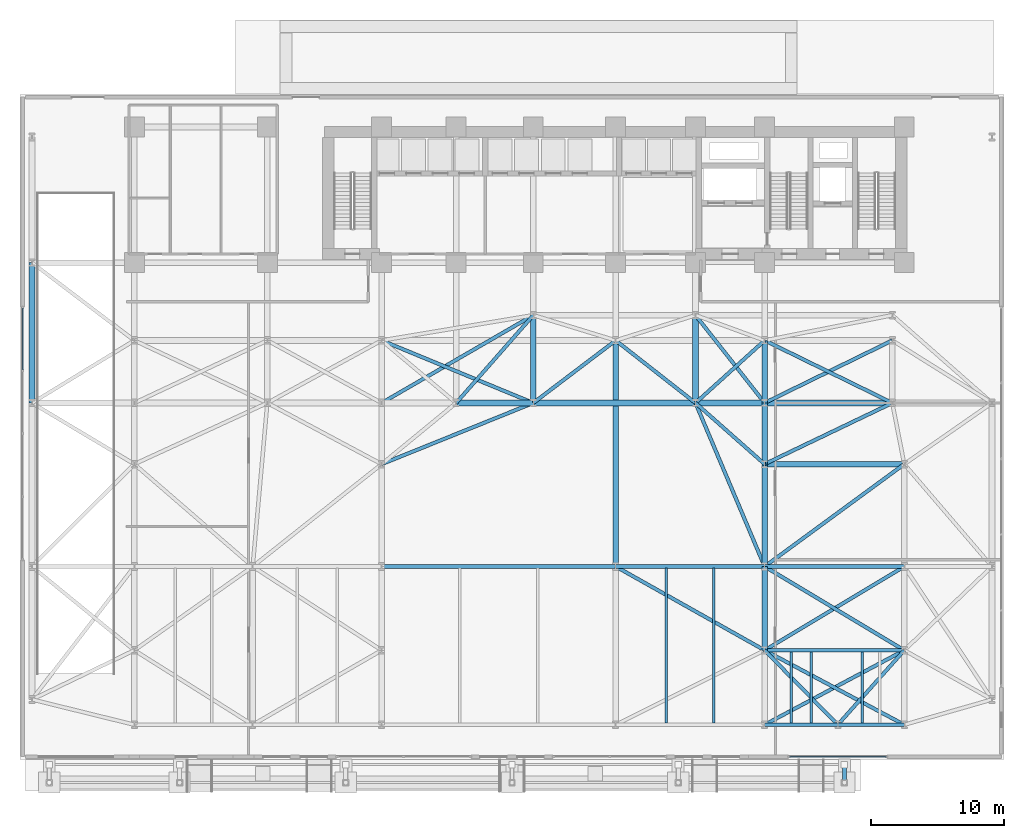
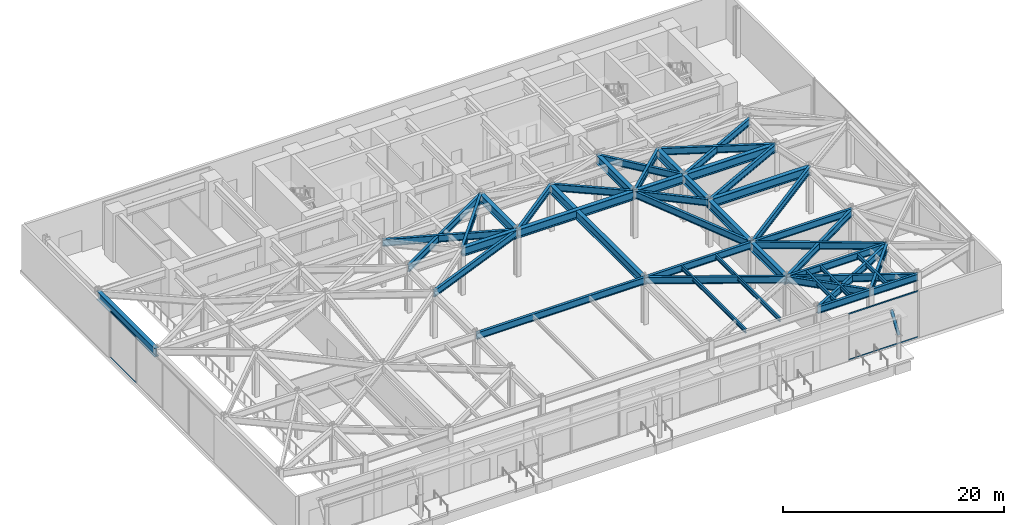
# One storey, part 17 of 31: 45 beams, 5 members, 2 elements without a shape of their own.
"""IFC4 building model written with IfcOpenShell, lengths in metres."""

from ifc_helpers import new_model, si_unit, direction, frame, origin, origin_2d, place, context, subcontext, project, spatial, hollow_rectangle, hollow_circle, i_section, extrude, material, layer, layer_set, material_profile, profile_set, type_object, element, aggregate, save


model = new_model("IFC4")

# Units and contexts
model_context = context("Model", 3, precision=1e-05, world=origin(), true_north=direction((0.0, 1.0)))
body_context = subcontext(model_context, "Body", "Model", "MODEL_VIEW")
ifc_project = project(units=[si_unit("LENGTHUNIT", "METRE"), si_unit("AREAUNIT", "SQUARE_METRE"), si_unit("VOLUMEUNIT", "CUBIC_METRE"), si_unit("PLANEANGLEUNIT", "RADIAN"), si_unit("MASSUNIT", "GRAM", prefix="KILO")], contexts=[model_context])

# Site, building, storey
site_placement = place(None, origin())
site = spatial("IfcSite", under=ifc_project, at=site_placement, CompositionType="ELEMENT")
building_placement = place(site_placement, origin())
building = spatial("IfcBuilding", under=site, at=building_placement, Name="Kravanh Interchange Tower", CompositionType="ELEMENT")
storey_placement = place(building_placement, origin())
storey = spatial("IfcBuildingStorey", under=building, at=storey_placement, Name="L00", CompositionType="ELEMENT", Elevation=0.0)

# Member
ifc_material_1 = material(Name="Structural Steel S355", Category="steel")
ifc_material_profile_1 = material_profile(ifc_material_1, hollow_circle(Radius=0.162109375, WallThickness=0.011962890625, at=origin_2d()), Name="CHS324X12")
ifc_profile_set_1 = profile_set([ifc_material_profile_1], Name="Structural Steel S355")
member_type_1 = type_object("IfcMemberType", Name="Canopy Raking Strut CHS324X12 Structural Steel S355", PredefinedType="STRUT", material=ifc_profile_set_1)
member_1_placement = place(storey_placement, frame((62.0, -1.75, 2.5), z_axis=(0.0, 0.564318032466, 0.8255574833), x_axis=(-1.0, 0.0, 0.0)))
element("IfcMember", 1, at=member_1_placement, inside=storey, type_object=member_type_1, Name="Transit Canopy Raking Strut 6", PredefinedType="STRUT", context=body_context, shape_type="SweptSolid", body=[
    extrude(hollow_circle(Radius=0.162109375, WallThickness=0.011962890625, at=origin_2d()), origin(), (0.0, 0.0, 1.0), 2.392333984375),
])

# Curtain wall, members
ifc_material_2 = material(Name="Anodised Bronze Aluminium", Category="aluminium")
ifc_layer = layer(ifc_material_2, 0.179931640625)
ifc_layer_set = layer_set([ifc_layer], Name="Unitised Curtain Wall System CW-POD Podium Concourse")
curtain_wall_type = type_object("IfcCurtainWallType", Name="Unitised Curtain Wall System CW-POD Podium Concourse", PredefinedType="NOTDEFINED", material=ifc_layer_set)
curtain_wall_1_placement = place(storey_placement, origin())
curtain_wall_1 = element("IfcCurtainWall", 2, at=curtain_wall_1_placement, inside=storey, type_object=curtain_wall_type, Name="L00 Unitised Curtain Wall CW-L00-03", PredefinedType="NOTDEFINED")
ifc_material_3 = material(Name="Anodised Bronze Aluminium", Category="aluminium")
ifc_material_profile_2 = material_profile(ifc_material_3, hollow_rectangle(XDim=0.06005859375, YDim=0.139892578125, WallThickness=0.00390625, at=origin_2d()), Name="ALU60X140X4")
ifc_profile_set_2 = profile_set([ifc_material_profile_2], Name="Anodised Bronze Aluminium")
member_type_2 = type_object("IfcMemberType", Name="Curtain Wall Transom ALU60X140X4 Bronze", PredefinedType="USERDEFINED", material=ifc_profile_set_2)
member_2_placement = place(storey_placement, frame((57.8701171875, 0.199951171875, 0.030029296875), z_axis=(1.0, 0.0, 0.0), x_axis=(0.0, 1.0, 0.0)))
member_2 = element("IfcMember", 3, at=member_2_placement, type_object=member_type_2, Name="CW-POD transom 1.1", ObjectType="TRANSOM", PredefinedType="USERDEFINED", context=body_context, shape_type="SweptSolid", body=[
    extrude(hollow_rectangle(XDim=0.06005859375, YDim=0.139892578125, WallThickness=0.00390625, at=origin_2d()), origin(), (0.0, 0.0, 1.0), 7.259765625),
])
member_3_placement = place(storey_placement, frame((57.8701171875, 0.199951171875, 5.10009765625), z_axis=(1.0, 0.0, 0.0), x_axis=(0.0, 1.0, 0.0)))
member_3 = element("IfcMember", 4, at=member_3_placement, type_object=member_type_2, Name="CW-POD transom 1.2", ObjectType="TRANSOM", PredefinedType="USERDEFINED", context=body_context, shape_type="SweptSolid", body=[
    extrude(hollow_rectangle(XDim=0.06005859375, YDim=0.139892578125, WallThickness=0.00390625, at=origin_2d()), origin(), (0.0, 0.0, 1.0), 7.259765625),
])
aggregate(curtain_wall_1, [member_2, member_3])

curtain_wall_2_placement = place(storey_placement, origin())
curtain_wall_2 = element("IfcCurtainWall", 5, at=curtain_wall_2_placement, inside=storey, type_object=curtain_wall_type, Name="L00 Unitised Curtain Wall CW-L00-05", PredefinedType="NOTDEFINED")
member_4_placement = place(storey_placement, frame((0.199951171875, 29.284912109375, 0.030029296875), z_axis=(0.0, 1.0, 0.0), x_axis=(-1.0, 0.0, 0.0)))
member_4 = element("IfcMember", 6, at=member_4_placement, type_object=member_type_2, Name="CW-POD transom 4.1", ObjectType="TRANSOM", PredefinedType="USERDEFINED", context=body_context, shape_type="SweptSolid", body=[
    extrude(hollow_rectangle(XDim=0.06005859375, YDim=0.139892578125, WallThickness=0.00390625, at=origin_2d()), origin(), (0.0, 0.0, 1.0), 4.64501953125),
])
member_5_placement = place(storey_placement, frame((0.199951171875, 29.284912109375, 5.10009765625), z_axis=(0.0, 1.0, 0.0), x_axis=(-1.0, 0.0, 0.0)))
member_5 = element("IfcMember", 7, at=member_5_placement, type_object=member_type_2, Name="CW-POD transom 4.2", ObjectType="TRANSOM", PredefinedType="USERDEFINED", context=body_context, shape_type="SweptSolid", body=[
    extrude(hollow_rectangle(XDim=0.06005859375, YDim=0.139892578125, WallThickness=0.00390625, at=origin_2d()), origin(), (0.0, 0.0, 1.0), 4.64501953125),
])
aggregate(curtain_wall_2, [member_4, member_5])

# Beams
ifc_material_4 = material(Name="Structural Steel S450", Category="steel")
ifc_material_profile_3 = material_profile(ifc_material_4, i_section(OverallWidth=0.423095703125, OverallDepth=0.947998046875, WebThickness=0.02392578125, FlangeThickness=0.042724609375, FilletRadius=0.028076171875, at=origin_2d()), Name="W36X302")
ifc_profile_set_3 = profile_set([ifc_material_profile_3], Name="Structural Steel S450")
beam_type_1 = type_object("IfcBeamType", Name="Floor Beam W36X302 Structural Steel S450", PredefinedType="BEAM", material=ifc_profile_set_3)
beam_1_placement = place(storey_placement, frame((56.0, 8.199951171875, 4.656005859375), z_axis=(0.0, 1.0, 0.0), x_axis=(-1.0, 0.0, 0.0)))
element("IfcBeam", 8, at=beam_1_placement, inside=storey, type_object=beam_type_1, Name="L00 Primary Floor Girder 29", PredefinedType="BEAM", context=body_context, shape_type="SweptSolid", body=[
    extrude(i_section(OverallWidth=0.423095703125, OverallDepth=0.947998046875, WebThickness=0.02392578125, FlangeThickness=0.042724609375, FilletRadius=0.028076171875, at=origin_2d()), origin(), (0.0, 0.0, 1.0), 6.300048828125),
])
beam_2_placement = place(storey_placement, frame((44.800048828125, 14.5, 4.656005859375), z_axis=(0.0, 1.0, 0.0), x_axis=(-1.0, 0.0, 0.0)))
element("IfcBeam", 9, at=beam_2_placement, inside=storey, type_object=beam_type_1, Name="L00 Primary Floor Girder 48", PredefinedType="BEAM", context=body_context, shape_type="SweptSolid", body=[
    extrude(i_section(OverallWidth=0.423095703125, OverallDepth=0.947998046875, WebThickness=0.02392578125, FlangeThickness=0.042724609375, FilletRadius=0.028076171875, at=origin_2d()), origin(), (0.0, 0.0, 1.0), 17.0),
])
beam_3_placement = place(storey_placement, frame((56.0, 14.5, 4.656005859375), z_axis=(0.0, 1.0, 0.0), x_axis=(-1.0, 0.0, 0.0)))
element("IfcBeam", 10, at=beam_3_placement, inside=storey, type_object=beam_type_1, Name="L00 Primary Floor Girder 49", PredefinedType="BEAM", context=body_context, shape_type="SweptSolid", body=[
    extrude(i_section(OverallWidth=0.423095703125, OverallDepth=0.947998046875, WebThickness=0.02392578125, FlangeThickness=0.042724609375, FilletRadius=0.028076171875, at=origin_2d()), origin(), (0.0, 0.0, 1.0), 7.699951171875),
])
beam_4_placement = place(storey_placement, frame((56.0, 22.199951171875, 4.656005859375), z_axis=(0.0, 1.0, 0.0), x_axis=(-1.0, 0.0, 0.0)))
element("IfcBeam", 11, at=beam_4_placement, inside=storey, type_object=beam_type_1, Name="L00 Primary Floor Girder 65", PredefinedType="BEAM", context=body_context, shape_type="SweptSolid", body=[
    extrude(i_section(OverallWidth=0.423095703125, OverallDepth=0.947998046875, WebThickness=0.02392578125, FlangeThickness=0.042724609375, FilletRadius=0.028076171875, at=origin_2d()), origin(), (0.0, 0.0, 1.0), 4.60009765625),
])
beam_5_placement = place(storey_placement, frame((56.0, 22.199951171875, 4.656005859375), z_axis=(1.0, 0.0, 0.0), x_axis=(0.0, 1.0, 0.0)))
element("IfcBeam", 12, at=beam_5_placement, inside=storey, type_object=beam_type_1, Name="L00 Primary Floor Girder 67", PredefinedType="BEAM", context=body_context, shape_type="SweptSolid", body=[
    extrude(i_section(OverallWidth=0.423095703125, OverallDepth=0.947998046875, WebThickness=0.02392578125, FlangeThickness=0.042724609375, FilletRadius=0.028076171875, at=origin_2d()), origin(), (0.0, 0.0, 1.0), 10.5),
])
beam_6_placement = place(storey_placement, frame((32.800048828125, 26.800048828125, 4.656005859375), z_axis=(1.0, 0.0, 0.0), x_axis=(0.0, 1.0, 0.0)))
element("IfcBeam", 13, at=beam_6_placement, inside=storey, type_object=beam_type_1, Name="L00 Primary Floor Girder 85", PredefinedType="BEAM", context=body_context, shape_type="SweptSolid", body=[
    extrude(i_section(OverallWidth=0.423095703125, OverallDepth=0.947998046875, WebThickness=0.02392578125, FlangeThickness=0.042724609375, FilletRadius=0.028076171875, at=origin_2d()), origin(), (0.0, 0.0, 1.0), 5.800048828125),
])
beam_7_placement = place(storey_placement, frame((38.60009765625, 26.800048828125, 4.656005859375), z_axis=(0.0, 1.0, 0.0), x_axis=(-1.0, 0.0, 0.0)))
element("IfcBeam", 14, at=beam_7_placement, inside=storey, type_object=beam_type_1, Name="L00 Primary Floor Girder 89", PredefinedType="BEAM", context=body_context, shape_type="SweptSolid", body=[
    extrude(i_section(OverallWidth=0.423095703125, OverallDepth=0.947998046875, WebThickness=0.02392578125, FlangeThickness=0.042724609375, FilletRadius=0.028076171875, at=origin_2d()), origin(), (0.0, 0.0, 1.0), 6.599853515625),
])
beam_8_placement = place(storey_placement, frame((38.60009765625, 26.800048828125, 4.656005859375), z_axis=(1.0, 0.0, 0.0), x_axis=(0.0, 1.0, 0.0)))
element("IfcBeam", 15, at=beam_8_placement, inside=storey, type_object=beam_type_1, Name="L00 Primary Floor Girder 91", PredefinedType="BEAM", context=body_context, shape_type="SweptSolid", body=[
    extrude(i_section(OverallWidth=0.423095703125, OverallDepth=0.947998046875, WebThickness=0.02392578125, FlangeThickness=0.042724609375, FilletRadius=0.028076171875, at=origin_2d()), origin(), (0.0, 0.0, 1.0), 12.199951171875),
])
beam_9_placement = place(storey_placement, frame((50.800048828125, 26.800048828125, 4.656005859375), z_axis=(1.0, 0.0, 0.0), x_axis=(0.0, 1.0, 0.0)))
element("IfcBeam", 16, at=beam_9_placement, inside=storey, type_object=beam_type_1, Name="L00 Primary Floor Girder 93", PredefinedType="BEAM", context=body_context, shape_type="SweptSolid", body=[
    extrude(i_section(OverallWidth=0.423095703125, OverallDepth=0.947998046875, WebThickness=0.02392578125, FlangeThickness=0.042724609375, FilletRadius=0.028076171875, at=origin_2d()), origin(), (0.0, 0.0, 1.0), 5.199951171875),
])
beam_10_placement = place(storey_placement, frame((50.800048828125, 26.800048828125, 4.656005859375), z_axis=(0.0, 1.0, 0.0), x_axis=(-1.0, 0.0, 0.0)))
element("IfcBeam", 17, at=beam_10_placement, inside=storey, type_object=beam_type_1, Name="L00 Primary Floor Girder 94", PredefinedType="BEAM", context=body_context, shape_type="SweptSolid", body=[
    extrude(i_section(OverallWidth=0.423095703125, OverallDepth=0.947998046875, WebThickness=0.02392578125, FlangeThickness=0.042724609375, FilletRadius=0.028076171875, at=origin_2d()), origin(), (0.0, 0.0, 1.0), 6.599853515625),
])
beam_11_placement = place(storey_placement, frame((56.0, 26.800048828125, 4.656005859375), z_axis=(0.0, 1.0, 0.0), x_axis=(-1.0, 0.0, 0.0)))
element("IfcBeam", 18, at=beam_11_placement, inside=storey, type_object=beam_type_1, Name="L00 Primary Floor Girder 97", PredefinedType="BEAM", context=body_context, shape_type="SweptSolid", body=[
    extrude(i_section(OverallWidth=0.423095703125, OverallDepth=0.947998046875, WebThickness=0.02392578125, FlangeThickness=0.042724609375, FilletRadius=0.028076171875, at=origin_2d()), origin(), (0.0, 0.0, 1.0), 4.699951171875),
])
beam_12_placement = place(storey_placement, frame((56.0, 26.800048828125, 4.656005859375), z_axis=(1.0, 0.0, 0.0), x_axis=(0.0, 1.0, 0.0)))
element("IfcBeam", 19, at=beam_12_placement, inside=storey, type_object=beam_type_1, Name="L00 Primary Floor Girder 99", PredefinedType="BEAM", context=body_context, shape_type="SweptSolid", body=[
    extrude(i_section(OverallWidth=0.423095703125, OverallDepth=0.947998046875, WebThickness=0.02392578125, FlangeThickness=0.042724609375, FilletRadius=0.028076171875, at=origin_2d()), origin(), (0.0, 0.0, 1.0), 9.60009765625),
])
beam_13_placement = place(storey_placement, frame((0.89990234375, 26.800048828125, 4.656005859375), z_axis=(0.0, 1.0, 0.0), x_axis=(-1.0, 0.0, 0.0)))
element("IfcBeam", 20, at=beam_13_placement, inside=storey, type_object=beam_type_1, Name="L00 Primary Floor Girder 124", PredefinedType="BEAM", context=body_context, shape_type="SweptSolid", body=[
    extrude(i_section(OverallWidth=0.423095703125, OverallDepth=0.947998046875, WebThickness=0.02392578125, FlangeThickness=0.042724609375, FilletRadius=0.028076171875, at=origin_2d()), origin(), (0.0, 0.0, 1.0), 10.550048828125),
])
ifc_material_5 = material(Name="Structural Steel S355", Category="steel")
ifc_material_profile_4 = material_profile(ifc_material_5, i_section(OverallWidth=0.18994140625, OverallDepth=0.45703125, WebThickness=0.009033203125, FlangeThickness=0.014404296875, FilletRadius=0.01806640625, at=origin_2d()), Name="W18X50")
ifc_profile_set_4 = profile_set([ifc_material_profile_4], Name="Structural Steel S355")
beam_type_2 = type_object("IfcBeamType", Name="Floor Joist W18X50 Structural Steel S355", PredefinedType="JOIST", material=ifc_profile_set_4)
for number, where, z_axis, x_axis, name in (
    (21, (48.617919921875, 2.728515625, 4.901611328125), (0.0, 1.0, 0.0), (-1.0, 0.0, 0.0), "L00 Secondary Floor Joist 7"),
    (22, (52.181884765625, 2.728515625, 4.901611328125), (0.0, 1.0, 0.0), (-1.0, 0.0, 0.0), "L00 Secondary Floor Joist 8"),
):
    element("IfcBeam", number, at=place(storey_placement, frame(where, z_axis=z_axis, x_axis=x_axis)), inside=storey, type_object=beam_type_2, Name=name, PredefinedType="JOIST", context=body_context, shape_type="SweptSolid", body=[
        extrude(i_section(OverallWidth=0.18994140625, OverallDepth=0.45703125, WebThickness=0.009033203125, FlangeThickness=0.014404296875, FilletRadius=0.01806640625, at=origin_2d()), origin(), (0.0, 0.0, 1.0), 11.64306640625),
    ])
for number, where, z_axis, x_axis, name in (
    (23, (57.993896484375, 2.728515625, 4.901611328125), (0.0, 1.0, 0.0), (-1.0, 0.0, 0.0), "L00 Secondary Floor Joist 9"),
    (24, (59.506103515625, 2.728515625, 4.901611328125), (0.0, 1.0, 0.0), (-1.0, 0.0, 0.0), "L00 Secondary Floor Joist 10"),
    (25, (63.333984375, 2.728515625, 4.901611328125), (0.0, 1.0, 0.0), (-1.0, 0.0, 0.0), "L00 Secondary Floor Joist 11"),
):
    element("IfcBeam", number, at=place(storey_placement, frame(where, z_axis=z_axis, x_axis=x_axis)), inside=storey, type_object=beam_type_2, Name=name, PredefinedType="JOIST", context=body_context, shape_type="SweptSolid", body=[
        extrude(i_section(OverallWidth=0.18994140625, OverallDepth=0.45703125, WebThickness=0.009033203125, FlangeThickness=0.014404296875, FilletRadius=0.01806640625, at=origin_2d()), origin(), (0.0, 0.0, 1.0), 5.343017578125),
    ])
ifc_material_6 = material(Name="Structural Steel S355", Category="steel")
ifc_material_profile_5 = material_profile(ifc_material_6, i_section(OverallWidth=0.26708984375, OverallDepth=0.761962890625, WebThickness=0.014404296875, FlangeThickness=0.021484375, FilletRadius=0.02490234375, at=origin_2d()), Name="W30X116")
ifc_profile_set_5 = profile_set([ifc_material_profile_5], Name="Structural Steel S355")
beam_type_3 = type_object("IfcBeamType", Name="Floor Spandrel W30X116 Structural Steel S355", PredefinedType="SPANDREL", material=ifc_profile_set_5)
beam_14_placement = place(storey_placement, frame((56.0, 2.60009765625, 4.7490234375), z_axis=(1.0, 0.0, 0.0), x_axis=(0.0, 1.0, 0.0)))
element("IfcBeam", 26, at=beam_14_placement, inside=storey, type_object=beam_type_3, Name="L00 Perimeter Spandrel 13", PredefinedType="SPANDREL", context=body_context, shape_type="SweptSolid", body=[
    extrude(i_section(OverallWidth=0.26708984375, OverallDepth=0.761962890625, WebThickness=0.014404296875, FlangeThickness=0.021484375, FilletRadius=0.02490234375, at=origin_2d()), origin(), (0.0, 0.0, 1.0), 5.5),
])
beam_15_placement = place(storey_placement, frame((56.0, 2.60009765625, 4.7490234375), z_axis=(0.882358052411, 0.470578651603, 0.0), x_axis=(-0.470578651603, 0.882358052411, 0.0)))
element("IfcBeam", 27, at=beam_15_placement, inside=storey, type_object=beam_type_3, Name="L00 Perimeter Spandrel 15", PredefinedType="SPANDREL", context=body_context, shape_type="SweptSolid", body=[
    extrude(i_section(OverallWidth=0.26708984375, OverallDepth=0.761962890625, WebThickness=0.014404296875, FlangeThickness=0.021484375, FilletRadius=0.02490234375, at=origin_2d()), origin(), (0.0, 0.0, 1.0), 11.89990234375),
])
beam_16_placement = place(storey_placement, frame((61.5, 2.60009765625, 4.7490234375), z_axis=(1.0, 0.0, 0.0), x_axis=(0.0, 1.0, 0.0)))
element("IfcBeam", 28, at=beam_16_placement, inside=storey, type_object=beam_type_3, Name="L00 Perimeter Spandrel 16", PredefinedType="SPANDREL", context=body_context, shape_type="SweptSolid", body=[
    extrude(i_section(OverallWidth=0.26708984375, OverallDepth=0.761962890625, WebThickness=0.014404296875, FlangeThickness=0.021484375, FilletRadius=0.02490234375, at=origin_2d()), origin(), (0.0, 0.0, 1.0), 5.0),
])
beam_17_placement = place(storey_placement, frame((61.5, 2.60009765625, 4.7490234375), z_axis=(0.666025463167, 0.745929006282, 0.0), x_axis=(-0.745929006282, 0.666025463167, 0.0)))
element("IfcBeam", 29, at=beam_17_placement, inside=storey, type_object=beam_type_3, Name="L00 Perimeter Spandrel 17", PredefinedType="SPANDREL", context=body_context, shape_type="SweptSolid", body=[
    extrude(i_section(OverallWidth=0.26708984375, OverallDepth=0.761962890625, WebThickness=0.014404296875, FlangeThickness=0.021484375, FilletRadius=0.02490234375, at=origin_2d()), origin(), (0.0, 0.0, 1.0), 7.50732421875),
])
beam_18_placement = place(storey_placement, frame((61.5, 2.60009765625, 4.7490234375), z_axis=(-0.700717344595, 0.71343899738, 0.0), x_axis=(-0.71343899738, -0.700717344595, 0.0)))
element("IfcBeam", 30, at=beam_18_placement, inside=storey, type_object=beam_type_3, Name="L00 Perimeter Spandrel 18", PredefinedType="SPANDREL", context=body_context, shape_type="SweptSolid", body=[
    extrude(i_section(OverallWidth=0.26708984375, OverallDepth=0.761962890625, WebThickness=0.014404296875, FlangeThickness=0.021484375, FilletRadius=0.02490234375, at=origin_2d()), origin(), (0.0, 0.0, 1.0), 7.84912109375),
])
beam_19_placement = place(storey_placement, frame((66.5, 2.60009765625, 4.7490234375), z_axis=(-0.882358052411, 0.470578651603, 0.0), x_axis=(-0.470578651603, -0.882358052411, 0.0)))
element("IfcBeam", 31, at=beam_19_placement, inside=storey, type_object=beam_type_3, Name="L00 Perimeter Spandrel 22", PredefinedType="SPANDREL", context=body_context, shape_type="SweptSolid", body=[
    extrude(i_section(OverallWidth=0.26708984375, OverallDepth=0.761962890625, WebThickness=0.014404296875, FlangeThickness=0.021484375, FilletRadius=0.02490234375, at=origin_2d()), origin(), (0.0, 0.0, 1.0), 11.89990234375),
])
beam_20_placement = place(storey_placement, frame((56.0, 8.199951171875, 4.7490234375), z_axis=(1.0, 0.0, 0.0), x_axis=(0.0, 1.0, 0.0)))
element("IfcBeam", 32, at=beam_20_placement, inside=storey, type_object=beam_type_3, Name="L00 Perimeter Spandrel 30", PredefinedType="SPANDREL", context=body_context, shape_type="SweptSolid", body=[
    extrude(i_section(OverallWidth=0.26708984375, OverallDepth=0.761962890625, WebThickness=0.014404296875, FlangeThickness=0.021484375, FilletRadius=0.02490234375, at=origin_2d()), origin(), (0.0, 0.0, 1.0), 10.5),
])
beam_21_placement = place(storey_placement, frame((56.0, 8.199951171875, 4.7490234375), z_axis=(0.857491166477, 0.514498687475, 0.0), x_axis=(-0.514498687475, 0.857491166477, 0.0)))
element("IfcBeam", 33, at=beam_21_placement, inside=storey, type_object=beam_type_3, Name="L00 Perimeter Spandrel 31", PredefinedType="SPANDREL", context=body_context, shape_type="SweptSolid", body=[
    extrude(i_section(OverallWidth=0.26708984375, OverallDepth=0.761962890625, WebThickness=0.014404296875, FlangeThickness=0.021484375, FilletRadius=0.02490234375, at=origin_2d()), origin(), (0.0, 0.0, 1.0), 12.2451171875),
])
beam_22_placement = place(storey_placement, frame((56.0, 8.199951171875, 4.7490234375), z_axis=(-0.871573000172, 0.490265749743, 0.0), x_axis=(-0.490265749743, -0.871573000172, 0.0)))
element("IfcBeam", 34, at=beam_22_placement, inside=storey, type_object=beam_type_3, Name="L00 Perimeter Spandrel 32", PredefinedType="SPANDREL", context=body_context, shape_type="SweptSolid", body=[
    extrude(i_section(OverallWidth=0.26708984375, OverallDepth=0.761962890625, WebThickness=0.014404296875, FlangeThickness=0.021484375, FilletRadius=0.02490234375, at=origin_2d()), origin(), (0.0, 0.0, 1.0), 12.850341796875),
])
beam_23_placement = place(storey_placement, frame((66.5, 8.199951171875, 4.7490234375), z_axis=(-0.857491166477, 0.514498687475, 0.0), x_axis=(-0.514498687475, -0.857491166477, 0.0)))
element("IfcBeam", 35, at=beam_23_placement, inside=storey, type_object=beam_type_3, Name="L00 Perimeter Spandrel 36", PredefinedType="SPANDREL", context=body_context, shape_type="SweptSolid", body=[
    extrude(i_section(OverallWidth=0.26708984375, OverallDepth=0.761962890625, WebThickness=0.014404296875, FlangeThickness=0.021484375, FilletRadius=0.02490234375, at=origin_2d()), origin(), (0.0, 0.0, 1.0), 12.2451171875),
])
beam_24_placement = place(storey_placement, frame((27.199951171875, 14.5, 4.7490234375), z_axis=(1.0, 0.0, 0.0), x_axis=(0.0, 1.0, 0.0)))
element("IfcBeam", 36, at=beam_24_placement, inside=storey, type_object=beam_type_3, Name="L00 Perimeter Spandrel 46", PredefinedType="SPANDREL", context=body_context, shape_type="SweptSolid", body=[
    extrude(i_section(OverallWidth=0.26708984375, OverallDepth=0.761962890625, WebThickness=0.014404296875, FlangeThickness=0.021484375, FilletRadius=0.02490234375, at=origin_2d()), origin(), (0.0, 0.0, 1.0), 17.60009765625),
])
beam_25_placement = place(storey_placement, frame((44.800048828125, 14.5, 4.7490234375), z_axis=(1.0, 0.0, 0.0), x_axis=(0.0, 1.0, 0.0)))
element("IfcBeam", 37, at=beam_25_placement, inside=storey, type_object=beam_type_3, Name="L00 Perimeter Spandrel 47", PredefinedType="SPANDREL", context=body_context, shape_type="SweptSolid", body=[
    extrude(i_section(OverallWidth=0.26708984375, OverallDepth=0.761962890625, WebThickness=0.014404296875, FlangeThickness=0.021484375, FilletRadius=0.02490234375, at=origin_2d()), origin(), (0.0, 0.0, 1.0), 11.199951171875),
])
beam_26_placement = place(storey_placement, frame((56.0, 14.5, 4.7490234375), z_axis=(1.0, 0.0, 0.0), x_axis=(0.0, 1.0, 0.0)))
element("IfcBeam", 38, at=beam_26_placement, inside=storey, type_object=beam_type_3, Name="L00 Perimeter Spandrel 50", PredefinedType="SPANDREL", context=body_context, shape_type="SweptSolid", body=[
    extrude(i_section(OverallWidth=0.26708984375, OverallDepth=0.761962890625, WebThickness=0.014404296875, FlangeThickness=0.021484375, FilletRadius=0.02490234375, at=origin_2d()), origin(), (0.0, 0.0, 1.0), 10.5),
])
beam_27_placement = place(storey_placement, frame((56.0, 14.5, 4.7490234375), z_axis=(0.806406784162, 0.59136122502, 0.0), x_axis=(-0.59136122502, 0.806406784162, 0.0)))
element("IfcBeam", 39, at=beam_27_placement, inside=storey, type_object=beam_type_3, Name="L00 Perimeter Spandrel 51", PredefinedType="SPANDREL", context=body_context, shape_type="SweptSolid", body=[
    extrude(i_section(OverallWidth=0.26708984375, OverallDepth=0.761962890625, WebThickness=0.014404296875, FlangeThickness=0.021484375, FilletRadius=0.02490234375, at=origin_2d()), origin(), (0.0, 0.0, 1.0), 13.020751953125),
])
beam_28_placement = place(storey_placement, frame((56.0, 14.5, 4.7490234375), z_axis=(-0.389391275313, 0.921072437276, 0.0), x_axis=(-0.921072437276, -0.389391275313, 0.0)))
element("IfcBeam", 40, at=beam_28_placement, inside=storey, type_object=beam_type_3, Name="L00 Perimeter Spandrel 52", PredefinedType="SPANDREL", context=body_context, shape_type="SweptSolid", body=[
    extrude(i_section(OverallWidth=0.26708984375, OverallDepth=0.761962890625, WebThickness=0.014404296875, FlangeThickness=0.021484375, FilletRadius=0.02490234375, at=origin_2d()), origin(), (0.0, 0.0, 1.0), 13.35400390625),
])
beam_29_placement = place(storey_placement, frame((27.199951171875, 22.199951171875, 4.7490234375), z_axis=(0.927349344428, 0.374196730864, 0.0), x_axis=(-0.374196730864, 0.927349344428, 0.0)))
element("IfcBeam", 41, at=beam_29_placement, inside=storey, type_object=beam_type_3, Name="L00 Perimeter Spandrel 64", PredefinedType="SPANDREL", context=body_context, shape_type="SweptSolid", body=[
    extrude(i_section(OverallWidth=0.26708984375, OverallDepth=0.761962890625, WebThickness=0.014404296875, FlangeThickness=0.021484375, FilletRadius=0.02490234375, at=origin_2d()), origin(), (0.0, 0.0, 1.0), 12.293212890625),
])
beam_30_placement = place(storey_placement, frame((56.0, 22.199951171875, 4.7490234375), z_axis=(-0.74898649432, 0.662585263439, 0.0), x_axis=(-0.662585263439, -0.74898649432, 0.0)))
element("IfcBeam", 42, at=beam_30_placement, inside=storey, type_object=beam_type_3, Name="L00 Perimeter Spandrel 66", PredefinedType="SPANDREL", context=body_context, shape_type="SweptSolid", body=[
    extrude(i_section(OverallWidth=0.26708984375, OverallDepth=0.761962890625, WebThickness=0.014404296875, FlangeThickness=0.021484375, FilletRadius=0.02490234375, at=origin_2d()), origin(), (0.0, 0.0, 1.0), 6.942626953125),
])
beam_31_placement = place(storey_placement, frame((56.0, 22.199951171875, 4.7490234375), z_axis=(0.901814166789, 0.432124066188, 0.0), x_axis=(-0.432124066188, 0.901814166789, 0.0)))
element("IfcBeam", 43, at=beam_31_placement, inside=storey, type_object=beam_type_3, Name="L00 Perimeter Spandrel 68", PredefinedType="SPANDREL", context=body_context, shape_type="SweptSolid", body=[
    extrude(i_section(OverallWidth=0.26708984375, OverallDepth=0.761962890625, WebThickness=0.014404296875, FlangeThickness=0.021484375, FilletRadius=0.02490234375, at=origin_2d()), origin(), (0.0, 0.0, 1.0), 10.645263671875),
])
beam_32_placement = place(storey_placement, frame((27.199951171875, 26.800048828125, 4.7490234375), z_axis=(0.865433898834, 0.501023119974, 0.0), x_axis=(-0.501023119974, 0.865433898834, 0.0)))
element("IfcBeam", 44, at=beam_32_placement, inside=storey, type_object=beam_type_3, Name="L00 Perimeter Spandrel 84", PredefinedType="SPANDREL", context=body_context, shape_type="SweptSolid", body=[
    extrude(i_section(OverallWidth=0.26708984375, OverallDepth=0.761962890625, WebThickness=0.014404296875, FlangeThickness=0.021484375, FilletRadius=0.02490234375, at=origin_2d()), origin(), (0.0, 0.0, 1.0), 13.1728515625),
])
beam_33_placement = place(storey_placement, frame((32.800048828125, 26.800048828125, 4.7490234375), z_axis=(0.660126010232, 0.751154877914, 0.0), x_axis=(-0.751154877914, 0.660126010232, 0.0)))
element("IfcBeam", 45, at=beam_33_placement, inside=storey, type_object=beam_type_3, Name="L00 Perimeter Spandrel 87", PredefinedType="SPANDREL", context=body_context, shape_type="SweptSolid", body=[
    extrude(i_section(OverallWidth=0.26708984375, OverallDepth=0.761962890625, WebThickness=0.014404296875, FlangeThickness=0.021484375, FilletRadius=0.02490234375, at=origin_2d()), origin(), (0.0, 0.0, 1.0), 8.786376953125),
])
beam_34_placement = place(storey_placement, frame((38.60009765625, 26.800048828125, 4.7490234375), z_axis=(0.796905365509, 0.604104161898, 0.0), x_axis=(-0.604104161898, 0.796905365509, 0.0)))
element("IfcBeam", 46, at=beam_34_placement, inside=storey, type_object=beam_type_3, Name="L00 Perimeter Spandrel 90", PredefinedType="SPANDREL", context=body_context, shape_type="SweptSolid", body=[
    extrude(i_section(OverallWidth=0.26708984375, OverallDepth=0.761962890625, WebThickness=0.014404296875, FlangeThickness=0.021484375, FilletRadius=0.02490234375, at=origin_2d()), origin(), (0.0, 0.0, 1.0), 7.780029296875),
])
beam_35_placement = place(storey_placement, frame((38.60009765625, 26.800048828125, 4.7490234375), z_axis=(-0.924513176562, 0.381150083778, 0.0), x_axis=(-0.381150083778, -0.924513176562, 0.0)))
element("IfcBeam", 47, at=beam_35_placement, inside=storey, type_object=beam_type_3, Name="L00 Perimeter Spandrel 92", PredefinedType="SPANDREL", context=body_context, shape_type="SweptSolid", body=[
    extrude(i_section(OverallWidth=0.26708984375, OverallDepth=0.761962890625, WebThickness=0.014404296875, FlangeThickness=0.021484375, FilletRadius=0.02490234375, at=origin_2d()), origin(), (0.0, 0.0, 1.0), 12.3310546875),
])
beam_36_placement = place(storey_placement, frame((50.800048828125, 26.800048828125, 4.7490234375), z_axis=(0.741874009795, 0.670539300557, 0.0), x_axis=(-0.670539300557, 0.741874009795, 0.0)))
element("IfcBeam", 48, at=beam_36_placement, inside=storey, type_object=beam_type_3, Name="L00 Perimeter Spandrel 95", PredefinedType="SPANDREL", context=body_context, shape_type="SweptSolid", body=[
    extrude(i_section(OverallWidth=0.26708984375, OverallDepth=0.761962890625, WebThickness=0.014404296875, FlangeThickness=0.021484375, FilletRadius=0.02490234375, at=origin_2d()), origin(), (0.0, 0.0, 1.0), 7.00927734375),
])
beam_37_placement = place(storey_placement, frame((50.800048828125, 26.800048828125, 4.7490234375), z_axis=(-0.787231163579, 0.616658004967, 0.0), x_axis=(-0.616658004967, -0.787231163579, 0.0)))
element("IfcBeam", 49, at=beam_37_placement, inside=storey, type_object=beam_type_3, Name="L00 Perimeter Spandrel 96", PredefinedType="SPANDREL", context=body_context, shape_type="SweptSolid", body=[
    extrude(i_section(OverallWidth=0.26708984375, OverallDepth=0.761962890625, WebThickness=0.014404296875, FlangeThickness=0.021484375, FilletRadius=0.02490234375, at=origin_2d()), origin(), (0.0, 0.0, 1.0), 7.62158203125),
])
beam_38_placement = place(storey_placement, frame((56.0, 26.800048828125, 4.7490234375), z_axis=(-0.618877116007, 0.785487819946, 0.0), x_axis=(-0.785487819946, -0.618877116007, 0.0)))
element("IfcBeam", 50, at=beam_38_placement, inside=storey, type_object=beam_type_3, Name="L00 Perimeter Spandrel 98", PredefinedType="SPANDREL", context=body_context, shape_type="SweptSolid", body=[
    extrude(i_section(OverallWidth=0.26708984375, OverallDepth=0.761962890625, WebThickness=0.014404296875, FlangeThickness=0.021484375, FilletRadius=0.02490234375, at=origin_2d()), origin(), (0.0, 0.0, 1.0), 8.40234375),
])
for number, where, z_axis, x_axis, name in (
    (51, (56.0, 26.800048828125, 4.7490234375), (0.898141688387, 0.439706160499, 0.0), (-0.439706160499, 0.898141688387, 0.0), "L00 Perimeter Spandrel 100"),
    (52, (65.60009765625, 26.800048828125, 4.7490234375), (-0.898141688387, 0.439706160499, 0.0), (-0.439706160499, -0.898141688387, 0.0), "L00 Perimeter Spandrel 103"),
):
    element("IfcBeam", number, at=place(storey_placement, frame(where, z_axis=z_axis, x_axis=x_axis)), inside=storey, type_object=beam_type_3, Name=name, PredefinedType="SPANDREL", context=body_context, shape_type="SweptSolid", body=[
        extrude(i_section(OverallWidth=0.26708984375, OverallDepth=0.761962890625, WebThickness=0.014404296875, FlangeThickness=0.021484375, FilletRadius=0.02490234375, at=origin_2d()), origin(), (0.0, 0.0, 1.0), 10.68896484375),
    ])

save(model, "model.ifc")
